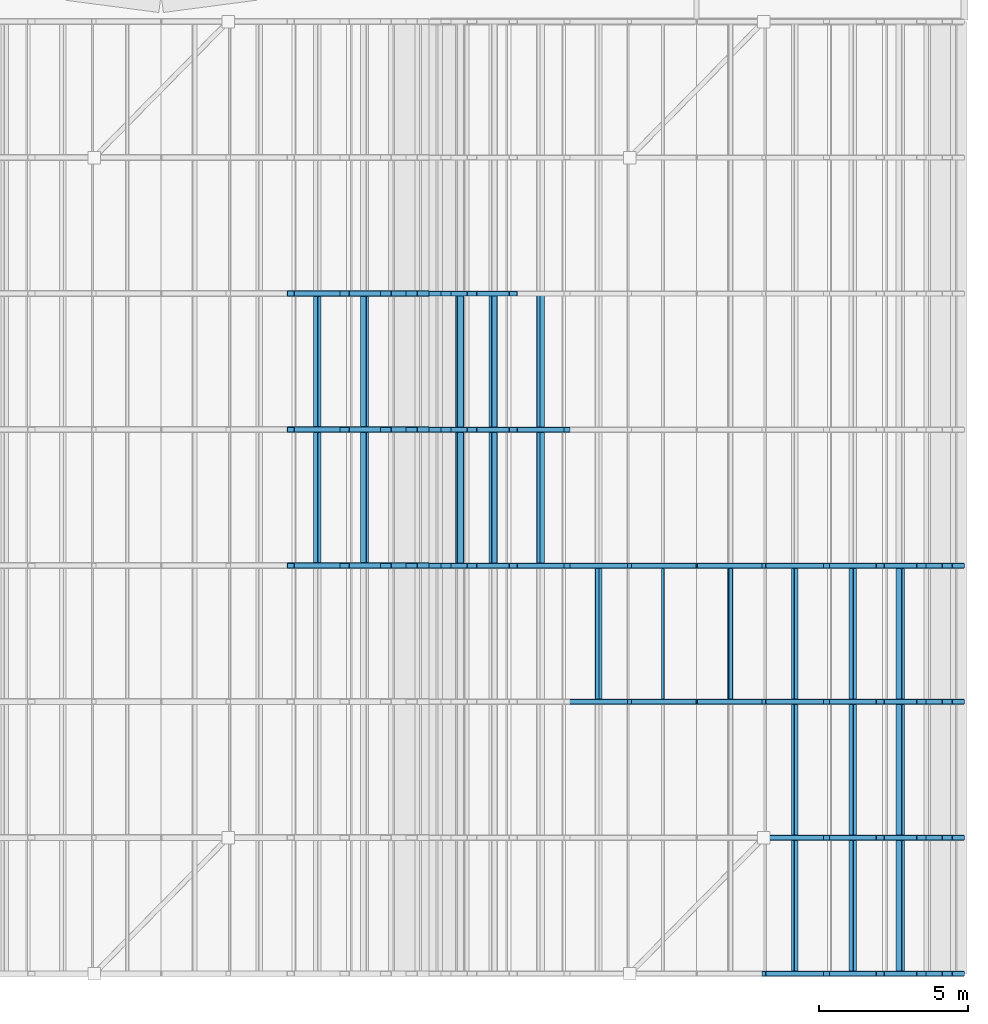
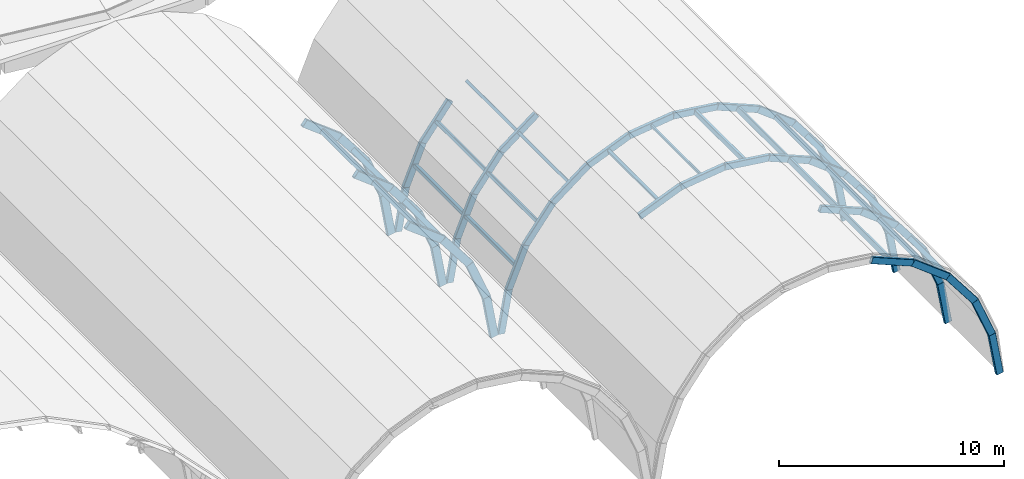
# One storey, part 5 of 25: 71 members.
"""IFC4 building model written with IfcOpenShell, lengths in metres."""

from ifc_helpers import new_model, si_unit, direction, frame, origin, origin_2d, place, context, subcontext, project, spatial, hollow_rectangle, extrude, material, material_profile, profile_set, type_object, element, save


model = new_model("IFC4")

# Units and contexts
model_context = context("Model", 3, precision=1e-05, world=origin(), true_north=direction((0.0, 1.0)))
body_context = subcontext(model_context, "Body", "Model", "MODEL_VIEW")
ifc_project = project(units=[si_unit("LENGTHUNIT", "METRE"), si_unit("AREAUNIT", "SQUARE_METRE"), si_unit("VOLUMEUNIT", "CUBIC_METRE"), si_unit("PLANEANGLEUNIT", "RADIAN"), si_unit("MASSUNIT", "GRAM", prefix="KILO")], contexts=[model_context])

# Site, building, storey
site_placement = place(None, origin())
site = spatial("IfcSite", under=ifc_project, at=site_placement, CompositionType="ELEMENT")
building_placement = place(site_placement, origin())
building = spatial("IfcBuilding", under=site, at=building_placement, Name="Marnock Terrace Opera House", CompositionType="ELEMENT")
storey_placement = place(building_placement, frame((0.0, 0.0, 28.199951171875)))
storey = spatial("IfcBuildingStorey", under=building, at=storey_placement, Name="RF", CompositionType="ELEMENT", Elevation=28.199951171875)

# Members
ifc_material = material(Name="Cold-formed Steel Grade C350L0 (AS/NZS 1163)", Category="steel")
ifc_material_profile_1 = material_profile(ifc_material, hollow_rectangle(XDim=0.10009765625, YDim=0.14990234375, WallThickness=0.006103515625, InnerFilletRadius=0.006103515625, OuterFilletRadius=0.011962890625, at=origin_2d()))
ifc_profile_set_1 = profile_set([ifc_material_profile_1], Name="Cold-formed Steel Grade C350L0 (AS/NZS 1163)")
member_type_1 = type_object("IfcMemberType", Name="MEM-ROOF-GIRT", PredefinedType="PURLIN", material=ifc_profile_set_1)
member_1_placement = place(storey_placement, frame((98.8681640625, 17.142822265625, -0.402099609375), z_axis=(0.0, 1.0, 0.0), x_axis=(-0.991444861374, 0.0, -0.13052619222)))
element("IfcMember", 1, at=member_1_placement, inside=storey, type_object=member_type_1, Name="Barrel vault 3 bay 3 longitudinal purlin", PredefinedType="PURLIN", context=body_context, shape_type="SweptSolid", body=[
    extrude(hollow_rectangle(XDim=0.10009765625, YDim=0.14990234375, WallThickness=0.006103515625, InnerFilletRadius=0.006103515625, OuterFilletRadius=0.011962890625, at=origin_2d()), origin(), (0.0, 0.0, 1.0), 4.571533203125),
])
ifc_material_profile_2 = material_profile(ifc_material, hollow_rectangle(XDim=0.199951171875, YDim=0.39990234375, WallThickness=0.012451171875, InnerFilletRadius=0.012451171875, OuterFilletRadius=0.02490234375, at=origin_2d()))
ifc_profile_set_2 = profile_set([ifc_material_profile_2], Name="Cold-formed Steel Grade C350L0 (AS/NZS 1163)")
member_type_2 = type_object("IfcMemberType", Name="MEM-VAULT-ARCH1", PredefinedType="CHORD", material=ifc_profile_set_2)
for number, where, z_axis, x_axis, name in (
    (2, (86.360107421875, 21.71435546875, -1.4482421875), (0.793349078761, 0.0, -0.608766982702), (0.0, 1.0, 0.0), "Barrel vault 2 station 4 arch chord 9"),
    (3, (88.166015625, 21.71435546875, -2.833984375), (0.608766982702, 0.0, -0.793349078761), (0.0, 1.0, 0.0), "Barrel vault 2 station 4 arch chord 10"),
):
    element("IfcMember", number, at=place(storey_placement, frame(where, z_axis=z_axis, x_axis=x_axis)), inside=storey, type_object=member_type_2, Name=name, PredefinedType="CHORD", context=body_context, shape_type="SweptSolid", body=[
        extrude(hollow_rectangle(XDim=0.199951171875, YDim=0.39990234375, WallThickness=0.012451171875, InnerFilletRadius=0.012451171875, OuterFilletRadius=0.02490234375, at=origin_2d()), origin(), (0.0, 0.0, 1.0), 2.2763671875),
    ])
member_2_placement = place(storey_placement, frame((89.5517578125, 21.71435546875, -4.639892578125), z_axis=(0.382642254796, 0.0, -0.923896587744), x_axis=(0.0, 1.0, 0.0)))
element("IfcMember", 4, at=member_2_placement, inside=storey, type_object=member_type_2, Name="Barrel vault 2 station 4 arch chord 11", PredefinedType="CHORD", context=body_context, shape_type="SweptSolid", body=[
    extrude(hollow_rectangle(XDim=0.199951171875, YDim=0.39990234375, WallThickness=0.012451171875, InnerFilletRadius=0.012451171875, OuterFilletRadius=0.02490234375, at=origin_2d()), origin(), (0.0, 0.0, 1.0), 2.276611328125),
])
member_3_placement = place(storey_placement, frame((90.4228515625, 21.71435546875, -6.7431640625), z_axis=(0.173341635248, 0.0, -0.984861755522), x_axis=(0.0, 1.0, 0.0)))
element("IfcMember", 5, at=member_3_placement, inside=storey, type_object=member_type_2, Name="Barrel vault 2 station 4 arch chord 12", PredefinedType="CHORD", context=body_context, shape_type="SweptSolid", body=[
    extrude(hollow_rectangle(XDim=0.199951171875, YDim=0.39990234375, WallThickness=0.012451171875, InnerFilletRadius=0.012451171875, OuterFilletRadius=0.02490234375, at=origin_2d()), origin(), (0.0, 0.0, 1.0), 2.29150390625),
])
for number, where, z_axis, x_axis, name in (
    (6, (86.360107421875, 26.28564453125, -1.4482421875), (0.793349078761, 0.0, -0.608766982702), (0.0, 1.0, 0.0), "Barrel vault 2 station 5 arch chord 9"),
    (7, (88.166015625, 26.28564453125, -2.833984375), (0.608766982702, 0.0, -0.793349078761), (0.0, 1.0, 0.0), "Barrel vault 2 station 5 arch chord 10"),
):
    element("IfcMember", number, at=place(storey_placement, frame(where, z_axis=z_axis, x_axis=x_axis)), inside=storey, type_object=member_type_2, Name=name, PredefinedType="CHORD", context=body_context, shape_type="SweptSolid", body=[
        extrude(hollow_rectangle(XDim=0.199951171875, YDim=0.39990234375, WallThickness=0.012451171875, InnerFilletRadius=0.012451171875, OuterFilletRadius=0.02490234375, at=origin_2d()), origin(), (0.0, 0.0, 1.0), 2.2763671875),
    ])
member_4_placement = place(storey_placement, frame((89.5517578125, 26.28564453125, -4.639892578125), z_axis=(0.382642254796, 0.0, -0.923896587744), x_axis=(0.0, 1.0, 0.0)))
element("IfcMember", 8, at=member_4_placement, inside=storey, type_object=member_type_2, Name="Barrel vault 2 station 5 arch chord 11", PredefinedType="CHORD", context=body_context, shape_type="SweptSolid", body=[
    extrude(hollow_rectangle(XDim=0.199951171875, YDim=0.39990234375, WallThickness=0.012451171875, InnerFilletRadius=0.012451171875, OuterFilletRadius=0.02490234375, at=origin_2d()), origin(), (0.0, 0.0, 1.0), 2.276611328125),
])
member_5_placement = place(storey_placement, frame((90.4228515625, 26.28564453125, -6.7431640625), z_axis=(0.173341635248, 0.0, -0.984861755522), x_axis=(0.0, 1.0, 0.0)))
element("IfcMember", 9, at=member_5_placement, inside=storey, type_object=member_type_2, Name="Barrel vault 2 station 5 arch chord 12", PredefinedType="CHORD", context=body_context, shape_type="SweptSolid", body=[
    extrude(hollow_rectangle(XDim=0.199951171875, YDim=0.39990234375, WallThickness=0.012451171875, InnerFilletRadius=0.012451171875, OuterFilletRadius=0.02490234375, at=origin_2d()), origin(), (0.0, 0.0, 1.0), 2.29150390625),
])
for number, where, z_axis, x_axis, name in (
    (10, (86.360107421875, 30.857177734375, -1.4482421875), (0.793349078761, 0.0, -0.608766982702), (0.0, 1.0, 0.0), "Barrel vault 2 station 6 arch chord 9"),
    (11, (88.166015625, 30.857177734375, -2.833984375), (0.608766982702, 0.0, -0.793349078761), (0.0, 1.0, 0.0), "Barrel vault 2 station 6 arch chord 10"),
):
    element("IfcMember", number, at=place(storey_placement, frame(where, z_axis=z_axis, x_axis=x_axis)), inside=storey, type_object=member_type_2, Name=name, PredefinedType="CHORD", context=body_context, shape_type="SweptSolid", body=[
        extrude(hollow_rectangle(XDim=0.199951171875, YDim=0.39990234375, WallThickness=0.012451171875, InnerFilletRadius=0.012451171875, OuterFilletRadius=0.02490234375, at=origin_2d()), origin(), (0.0, 0.0, 1.0), 2.2763671875),
    ])
member_6_placement = place(storey_placement, frame((89.5517578125, 30.857177734375, -4.639892578125), z_axis=(0.382642254796, 0.0, -0.923896587744), x_axis=(0.0, 1.0, 0.0)))
element("IfcMember", 12, at=member_6_placement, inside=storey, type_object=member_type_2, Name="Barrel vault 2 station 6 arch chord 11", PredefinedType="CHORD", context=body_context, shape_type="SweptSolid", body=[
    extrude(hollow_rectangle(XDim=0.199951171875, YDim=0.39990234375, WallThickness=0.012451171875, InnerFilletRadius=0.012451171875, OuterFilletRadius=0.02490234375, at=origin_2d()), origin(), (0.0, 0.0, 1.0), 2.276611328125),
])
member_7_placement = place(storey_placement, frame((90.4228515625, 30.857177734375, -6.7431640625), z_axis=(0.173341635248, 0.0, -0.984861755522), x_axis=(0.0, 1.0, 0.0)))
element("IfcMember", 13, at=member_7_placement, inside=storey, type_object=member_type_2, Name="Barrel vault 2 station 6 arch chord 12", PredefinedType="CHORD", context=body_context, shape_type="SweptSolid", body=[
    extrude(hollow_rectangle(XDim=0.199951171875, YDim=0.39990234375, WallThickness=0.012451171875, InnerFilletRadius=0.012451171875, OuterFilletRadius=0.02490234375, at=origin_2d()), origin(), (0.0, 0.0, 1.0), 2.29150390625),
])
ifc_material_profile_3 = material_profile(ifc_material, hollow_rectangle(XDim=0.175048828125, YDim=0.35009765625, WallThickness=0.010009765625, InnerFilletRadius=0.010009765625, OuterFilletRadius=0.02001953125, at=origin_2d()))
ifc_profile_set_3 = profile_set([ifc_material_profile_3], Name="Cold-formed Steel Grade C350L0 (AS/NZS 1163)")
member_type_3 = type_object("IfcMemberType", Name="MEM-VAULT-ARCH2", PredefinedType="CHORD", material=ifc_profile_set_3)
member_8_placement = place(storey_placement, frame((102.2568359375, 8.0, -0.5771484375), z_axis=(0.923896587744, 0.0, -0.382642254796), x_axis=(0.0, 1.0, 0.0)))
element("IfcMember", 14, at=member_8_placement, inside=storey, type_object=member_type_3, Name="Barrel vault 3 station 1 arch chord 8", PredefinedType="CHORD", context=body_context, shape_type="SweptSolid", body=[
    extrude(hollow_rectangle(XDim=0.175048828125, YDim=0.35009765625, WallThickness=0.010009765625, InnerFilletRadius=0.010009765625, OuterFilletRadius=0.02001953125, at=origin_2d()), origin(), (0.0, 0.0, 1.0), 2.276611328125),
])
for number, where, z_axis, x_axis, name in (
    (15, (104.360107421875, 8.0, -1.4482421875), (0.793349078761, 0.0, -0.608766982702), (0.0, 1.0, 0.0), "Barrel vault 3 station 1 arch chord 9"),
    (16, (106.166015625, 8.0, -2.833984375), (0.608766982702, 0.0, -0.793349078761), (0.0, 1.0, 0.0), "Barrel vault 3 station 1 arch chord 10"),
):
    element("IfcMember", number, at=place(storey_placement, frame(where, z_axis=z_axis, x_axis=x_axis)), inside=storey, type_object=member_type_3, Name=name, PredefinedType="CHORD", context=body_context, shape_type="SweptSolid", body=[
        extrude(hollow_rectangle(XDim=0.175048828125, YDim=0.35009765625, WallThickness=0.010009765625, InnerFilletRadius=0.010009765625, OuterFilletRadius=0.02001953125, at=origin_2d()), origin(), (0.0, 0.0, 1.0), 2.2763671875),
    ])
member_9_placement = place(storey_placement, frame((107.5517578125, 8.0, -4.639892578125), z_axis=(0.382642254796, 0.0, -0.923896587744), x_axis=(0.0, 1.0, 0.0)))
element("IfcMember", 17, at=member_9_placement, inside=storey, type_object=member_type_3, Name="Barrel vault 3 station 1 arch chord 11", PredefinedType="CHORD", context=body_context, shape_type="SweptSolid", body=[
    extrude(hollow_rectangle(XDim=0.175048828125, YDim=0.35009765625, WallThickness=0.010009765625, InnerFilletRadius=0.010009765625, OuterFilletRadius=0.02001953125, at=origin_2d()), origin(), (0.0, 0.0, 1.0), 2.276611328125),
])
member_10_placement = place(storey_placement, frame((108.4228515625, 8.0, -6.7431640625), z_axis=(0.173341635248, 0.0, -0.984861755522), x_axis=(0.0, 1.0, 0.0)))
element("IfcMember", 18, at=member_10_placement, inside=storey, type_object=member_type_3, Name="Barrel vault 3 station 1 arch chord 12", PredefinedType="CHORD", context=body_context, shape_type="SweptSolid", body=[
    extrude(hollow_rectangle(XDim=0.175048828125, YDim=0.35009765625, WallThickness=0.010009765625, InnerFilletRadius=0.010009765625, OuterFilletRadius=0.02001953125, at=origin_2d()), origin(), (0.0, 0.0, 1.0), 2.29150390625),
])
member_11_placement = place(storey_placement, frame((102.2568359375, 12.571533203125, -0.5771484375), z_axis=(0.923896587744, 0.0, -0.382642254796), x_axis=(0.0, 1.0, 0.0)))
element("IfcMember", 19, at=member_11_placement, inside=storey, type_object=member_type_3, Name="Barrel vault 3 station 2 arch chord 8", PredefinedType="CHORD", context=body_context, shape_type="SweptSolid", body=[
    extrude(hollow_rectangle(XDim=0.175048828125, YDim=0.35009765625, WallThickness=0.010009765625, InnerFilletRadius=0.010009765625, OuterFilletRadius=0.02001953125, at=origin_2d()), origin(), (0.0, 0.0, 1.0), 2.276611328125),
])
for number, where, z_axis, x_axis, name in (
    (20, (104.360107421875, 12.571533203125, -1.4482421875), (0.793349078761, 0.0, -0.608766982702), (0.0, 1.0, 0.0), "Barrel vault 3 station 2 arch chord 9"),
    (21, (106.166015625, 12.571533203125, -2.833984375), (0.608766982702, 0.0, -0.793349078761), (0.0, 1.0, 0.0), "Barrel vault 3 station 2 arch chord 10"),
):
    element("IfcMember", number, at=place(storey_placement, frame(where, z_axis=z_axis, x_axis=x_axis)), inside=storey, type_object=member_type_3, Name=name, PredefinedType="CHORD", context=body_context, shape_type="SweptSolid", body=[
        extrude(hollow_rectangle(XDim=0.175048828125, YDim=0.35009765625, WallThickness=0.010009765625, InnerFilletRadius=0.010009765625, OuterFilletRadius=0.02001953125, at=origin_2d()), origin(), (0.0, 0.0, 1.0), 2.2763671875),
    ])
member_12_placement = place(storey_placement, frame((107.5517578125, 12.571533203125, -4.639892578125), z_axis=(0.382642254796, 0.0, -0.923896587744), x_axis=(0.0, 1.0, 0.0)))
element("IfcMember", 22, at=member_12_placement, inside=storey, type_object=member_type_3, Name="Barrel vault 3 station 2 arch chord 11", PredefinedType="CHORD", context=body_context, shape_type="SweptSolid", body=[
    extrude(hollow_rectangle(XDim=0.175048828125, YDim=0.35009765625, WallThickness=0.010009765625, InnerFilletRadius=0.010009765625, OuterFilletRadius=0.02001953125, at=origin_2d()), origin(), (0.0, 0.0, 1.0), 2.276611328125),
])
member_13_placement = place(storey_placement, frame((108.4228515625, 12.571533203125, -6.7431640625), z_axis=(0.173341635248, 0.0, -0.984861755522), x_axis=(0.0, 1.0, 0.0)))
element("IfcMember", 23, at=member_13_placement, inside=storey, type_object=member_type_3, Name="Barrel vault 3 station 2 arch chord 12", PredefinedType="CHORD", context=body_context, shape_type="SweptSolid", body=[
    extrude(hollow_rectangle(XDim=0.175048828125, YDim=0.35009765625, WallThickness=0.010009765625, InnerFilletRadius=0.010009765625, OuterFilletRadius=0.02001953125, at=origin_2d()), origin(), (0.0, 0.0, 1.0), 2.29150390625),
])
member_14_placement = place(storey_placement, frame((95.639892578125, 17.142822265625, -1.4482421875), z_axis=(0.923896587744, 0.0, 0.382642254796), x_axis=(0.0, 1.0, 0.0)))
element("IfcMember", 24, at=member_14_placement, inside=storey, type_object=member_type_3, Name="Barrel vault 3 station 3 arch chord 5", PredefinedType="CHORD", context=body_context, shape_type="SweptSolid", body=[
    extrude(hollow_rectangle(XDim=0.175048828125, YDim=0.35009765625, WallThickness=0.010009765625, InnerFilletRadius=0.010009765625, OuterFilletRadius=0.02001953125, at=origin_2d()), origin(), (0.0, 0.0, 1.0), 2.276611328125),
])
for number, where, z_axis, x_axis, name in (
    (25, (97.7431640625, 17.142822265625, -0.5771484375), (0.991444801521, 0.0, 0.130526646847), (0.0, 1.0, 0.0), "Barrel vault 3 station 3 arch chord 6"),
    (26, (100.0, 17.142822265625, -0.280029296875), (0.991444801521, 0.0, -0.130526646847), (0.0, 1.0, 0.0), "Barrel vault 3 station 3 arch chord 7"),
):
    element("IfcMember", number, at=place(storey_placement, frame(where, z_axis=z_axis, x_axis=x_axis)), inside=storey, type_object=member_type_3, Name=name, PredefinedType="CHORD", context=body_context, shape_type="SweptSolid", body=[
        extrude(hollow_rectangle(XDim=0.175048828125, YDim=0.35009765625, WallThickness=0.010009765625, InnerFilletRadius=0.010009765625, OuterFilletRadius=0.02001953125, at=origin_2d()), origin(), (0.0, 0.0, 1.0), 2.2763671875),
    ])
member_15_placement = place(storey_placement, frame((102.2568359375, 17.142822265625, -0.5771484375), z_axis=(0.923896587744, 0.0, -0.382642254796), x_axis=(0.0, 1.0, 0.0)))
element("IfcMember", 27, at=member_15_placement, inside=storey, type_object=member_type_3, Name="Barrel vault 3 station 3 arch chord 8", PredefinedType="CHORD", context=body_context, shape_type="SweptSolid", body=[
    extrude(hollow_rectangle(XDim=0.175048828125, YDim=0.35009765625, WallThickness=0.010009765625, InnerFilletRadius=0.010009765625, OuterFilletRadius=0.02001953125, at=origin_2d()), origin(), (0.0, 0.0, 1.0), 2.276611328125),
])
for number, where, z_axis, x_axis, name in (
    (28, (104.360107421875, 17.142822265625, -1.4482421875), (0.793349078761, 0.0, -0.608766982702), (0.0, 1.0, 0.0), "Barrel vault 3 station 3 arch chord 9"),
    (29, (106.166015625, 17.142822265625, -2.833984375), (0.608766982702, 0.0, -0.793349078761), (0.0, 1.0, 0.0), "Barrel vault 3 station 3 arch chord 10"),
):
    element("IfcMember", number, at=place(storey_placement, frame(where, z_axis=z_axis, x_axis=x_axis)), inside=storey, type_object=member_type_3, Name=name, PredefinedType="CHORD", context=body_context, shape_type="SweptSolid", body=[
        extrude(hollow_rectangle(XDim=0.175048828125, YDim=0.35009765625, WallThickness=0.010009765625, InnerFilletRadius=0.010009765625, OuterFilletRadius=0.02001953125, at=origin_2d()), origin(), (0.0, 0.0, 1.0), 2.2763671875),
    ])
member_16_placement = place(storey_placement, frame((107.5517578125, 17.142822265625, -4.639892578125), z_axis=(0.382642254796, 0.0, -0.923896587744), x_axis=(0.0, 1.0, 0.0)))
element("IfcMember", 30, at=member_16_placement, inside=storey, type_object=member_type_3, Name="Barrel vault 3 station 3 arch chord 11", PredefinedType="CHORD", context=body_context, shape_type="SweptSolid", body=[
    extrude(hollow_rectangle(XDim=0.175048828125, YDim=0.35009765625, WallThickness=0.010009765625, InnerFilletRadius=0.010009765625, OuterFilletRadius=0.02001953125, at=origin_2d()), origin(), (0.0, 0.0, 1.0), 2.276611328125),
])
for number, where, z_axis, x_axis, name in (
    (31, (108.4228515625, 17.142822265625, -6.7431640625), (0.173341635248, 0.0, -0.984861755522), (0.0, 1.0, 0.0), "Barrel vault 3 station 3 arch chord 12"),
    (32, (91.179931640625, 21.71435546875, -9.0), (0.173341635248, 0.0, 0.984861755522), (0.0, 1.0, 0.0), "Barrel vault 3 station 4 arch chord 1"),
):
    element("IfcMember", number, at=place(storey_placement, frame(where, z_axis=z_axis, x_axis=x_axis)), inside=storey, type_object=member_type_3, Name=name, PredefinedType="CHORD", context=body_context, shape_type="SweptSolid", body=[
        extrude(hollow_rectangle(XDim=0.175048828125, YDim=0.35009765625, WallThickness=0.010009765625, InnerFilletRadius=0.010009765625, OuterFilletRadius=0.02001953125, at=origin_2d()), origin(), (0.0, 0.0, 1.0), 2.29150390625),
    ])
member_17_placement = place(storey_placement, frame((91.5771484375, 21.71435546875, -6.7431640625), z_axis=(0.382642254796, 0.0, 0.923896587744), x_axis=(0.0, 1.0, 0.0)))
element("IfcMember", 33, at=member_17_placement, inside=storey, type_object=member_type_3, Name="Barrel vault 3 station 4 arch chord 2", PredefinedType="CHORD", context=body_context, shape_type="SweptSolid", body=[
    extrude(hollow_rectangle(XDim=0.175048828125, YDim=0.35009765625, WallThickness=0.010009765625, InnerFilletRadius=0.010009765625, OuterFilletRadius=0.02001953125, at=origin_2d()), origin(), (0.0, 0.0, 1.0), 2.276611328125),
])
for number, where, z_axis, x_axis, name in (
    (34, (92.4482421875, 21.71435546875, -4.639892578125), (0.608766982702, 0.0, 0.793349078761), (0.0, 1.0, 0.0), "Barrel vault 3 station 4 arch chord 3"),
    (35, (93.833984375, 21.71435546875, -2.833984375), (0.793349078761, 0.0, 0.608766982702), (0.0, 1.0, 0.0), "Barrel vault 3 station 4 arch chord 4"),
):
    element("IfcMember", number, at=place(storey_placement, frame(where, z_axis=z_axis, x_axis=x_axis)), inside=storey, type_object=member_type_3, Name=name, PredefinedType="CHORD", context=body_context, shape_type="SweptSolid", body=[
        extrude(hollow_rectangle(XDim=0.175048828125, YDim=0.35009765625, WallThickness=0.010009765625, InnerFilletRadius=0.010009765625, OuterFilletRadius=0.02001953125, at=origin_2d()), origin(), (0.0, 0.0, 1.0), 2.2763671875),
    ])
member_18_placement = place(storey_placement, frame((95.639892578125, 21.71435546875, -1.4482421875), z_axis=(0.923896587744, 0.0, 0.382642254796), x_axis=(0.0, 1.0, 0.0)))
element("IfcMember", 36, at=member_18_placement, inside=storey, type_object=member_type_3, Name="Barrel vault 3 station 4 arch chord 5", PredefinedType="CHORD", context=body_context, shape_type="SweptSolid", body=[
    extrude(hollow_rectangle(XDim=0.175048828125, YDim=0.35009765625, WallThickness=0.010009765625, InnerFilletRadius=0.010009765625, OuterFilletRadius=0.02001953125, at=origin_2d()), origin(), (0.0, 0.0, 1.0), 2.276611328125),
])
for number, where, z_axis, x_axis, name in (
    (37, (97.7431640625, 21.71435546875, -0.5771484375), (0.991444801521, 0.0, 0.130526646847), (0.0, 1.0, 0.0), "Barrel vault 3 station 4 arch chord 6"),
    (38, (100.0, 21.71435546875, -0.280029296875), (0.991444801521, 0.0, -0.130526646847), (0.0, 1.0, 0.0), "Barrel vault 3 station 4 arch chord 7"),
):
    element("IfcMember", number, at=place(storey_placement, frame(where, z_axis=z_axis, x_axis=x_axis)), inside=storey, type_object=member_type_3, Name=name, PredefinedType="CHORD", context=body_context, shape_type="SweptSolid", body=[
        extrude(hollow_rectangle(XDim=0.175048828125, YDim=0.35009765625, WallThickness=0.010009765625, InnerFilletRadius=0.010009765625, OuterFilletRadius=0.02001953125, at=origin_2d()), origin(), (0.0, 0.0, 1.0), 2.2763671875),
    ])
member_19_placement = place(storey_placement, frame((102.2568359375, 21.71435546875, -0.5771484375), z_axis=(0.923896587744, 0.0, -0.382642254796), x_axis=(0.0, 1.0, 0.0)))
element("IfcMember", 39, at=member_19_placement, inside=storey, type_object=member_type_3, Name="Barrel vault 3 station 4 arch chord 8", PredefinedType="CHORD", context=body_context, shape_type="SweptSolid", body=[
    extrude(hollow_rectangle(XDim=0.175048828125, YDim=0.35009765625, WallThickness=0.010009765625, InnerFilletRadius=0.010009765625, OuterFilletRadius=0.02001953125, at=origin_2d()), origin(), (0.0, 0.0, 1.0), 2.276611328125),
])
for number, where, z_axis, x_axis, name in (
    (40, (104.360107421875, 21.71435546875, -1.4482421875), (0.793349078761, 0.0, -0.608766982702), (0.0, 1.0, 0.0), "Barrel vault 3 station 4 arch chord 9"),
    (41, (106.166015625, 21.71435546875, -2.833984375), (0.608766982702, 0.0, -0.793349078761), (0.0, 1.0, 0.0), "Barrel vault 3 station 4 arch chord 10"),
):
    element("IfcMember", number, at=place(storey_placement, frame(where, z_axis=z_axis, x_axis=x_axis)), inside=storey, type_object=member_type_3, Name=name, PredefinedType="CHORD", context=body_context, shape_type="SweptSolid", body=[
        extrude(hollow_rectangle(XDim=0.175048828125, YDim=0.35009765625, WallThickness=0.010009765625, InnerFilletRadius=0.010009765625, OuterFilletRadius=0.02001953125, at=origin_2d()), origin(), (0.0, 0.0, 1.0), 2.2763671875),
    ])
member_20_placement = place(storey_placement, frame((107.5517578125, 21.71435546875, -4.639892578125), z_axis=(0.382642254796, 0.0, -0.923896587744), x_axis=(0.0, 1.0, 0.0)))
element("IfcMember", 42, at=member_20_placement, inside=storey, type_object=member_type_3, Name="Barrel vault 3 station 4 arch chord 11", PredefinedType="CHORD", context=body_context, shape_type="SweptSolid", body=[
    extrude(hollow_rectangle(XDim=0.175048828125, YDim=0.35009765625, WallThickness=0.010009765625, InnerFilletRadius=0.010009765625, OuterFilletRadius=0.02001953125, at=origin_2d()), origin(), (0.0, 0.0, 1.0), 2.276611328125),
])
for number, where, z_axis, x_axis, name in (
    (43, (108.4228515625, 21.71435546875, -6.7431640625), (0.173341635248, 0.0, -0.984861755522), (0.0, 1.0, 0.0), "Barrel vault 3 station 4 arch chord 12"),
    (44, (91.179931640625, 26.28564453125, -9.0), (0.173341635248, 0.0, 0.984861755522), (0.0, 1.0, 0.0), "Barrel vault 3 station 5 arch chord 1"),
):
    element("IfcMember", number, at=place(storey_placement, frame(where, z_axis=z_axis, x_axis=x_axis)), inside=storey, type_object=member_type_3, Name=name, PredefinedType="CHORD", context=body_context, shape_type="SweptSolid", body=[
        extrude(hollow_rectangle(XDim=0.175048828125, YDim=0.35009765625, WallThickness=0.010009765625, InnerFilletRadius=0.010009765625, OuterFilletRadius=0.02001953125, at=origin_2d()), origin(), (0.0, 0.0, 1.0), 2.29150390625),
    ])
member_21_placement = place(storey_placement, frame((91.5771484375, 26.28564453125, -6.7431640625), z_axis=(0.382642254796, 0.0, 0.923896587744), x_axis=(0.0, 1.0, 0.0)))
element("IfcMember", 45, at=member_21_placement, inside=storey, type_object=member_type_3, Name="Barrel vault 3 station 5 arch chord 2", PredefinedType="CHORD", context=body_context, shape_type="SweptSolid", body=[
    extrude(hollow_rectangle(XDim=0.175048828125, YDim=0.35009765625, WallThickness=0.010009765625, InnerFilletRadius=0.010009765625, OuterFilletRadius=0.02001953125, at=origin_2d()), origin(), (0.0, 0.0, 1.0), 2.276611328125),
])
for number, where, z_axis, x_axis, name in (
    (46, (92.4482421875, 26.28564453125, -4.639892578125), (0.608766982702, 0.0, 0.793349078761), (0.0, 1.0, 0.0), "Barrel vault 3 station 5 arch chord 3"),
    (47, (93.833984375, 26.28564453125, -2.833984375), (0.793349078761, 0.0, 0.608766982702), (0.0, 1.0, 0.0), "Barrel vault 3 station 5 arch chord 4"),
):
    element("IfcMember", number, at=place(storey_placement, frame(where, z_axis=z_axis, x_axis=x_axis)), inside=storey, type_object=member_type_3, Name=name, PredefinedType="CHORD", context=body_context, shape_type="SweptSolid", body=[
        extrude(hollow_rectangle(XDim=0.175048828125, YDim=0.35009765625, WallThickness=0.010009765625, InnerFilletRadius=0.010009765625, OuterFilletRadius=0.02001953125, at=origin_2d()), origin(), (0.0, 0.0, 1.0), 2.2763671875),
    ])
member_22_placement = place(storey_placement, frame((91.179931640625, 30.857177734375, -9.0), z_axis=(0.173341635248, 0.0, 0.984861755522), x_axis=(0.0, 1.0, 0.0)))
element("IfcMember", 48, at=member_22_placement, inside=storey, type_object=member_type_3, Name="Barrel vault 3 station 6 arch chord 1", PredefinedType="CHORD", context=body_context, shape_type="SweptSolid", body=[
    extrude(hollow_rectangle(XDim=0.175048828125, YDim=0.35009765625, WallThickness=0.010009765625, InnerFilletRadius=0.010009765625, OuterFilletRadius=0.02001953125, at=origin_2d()), origin(), (0.0, 0.0, 1.0), 2.29150390625),
])
member_23_placement = place(storey_placement, frame((91.5771484375, 30.857177734375, -6.7431640625), z_axis=(0.382642254796, 0.0, 0.923896587744), x_axis=(0.0, 1.0, 0.0)))
element("IfcMember", 49, at=member_23_placement, inside=storey, type_object=member_type_3, Name="Barrel vault 3 station 6 arch chord 2", PredefinedType="CHORD", context=body_context, shape_type="SweptSolid", body=[
    extrude(hollow_rectangle(XDim=0.175048828125, YDim=0.35009765625, WallThickness=0.010009765625, InnerFilletRadius=0.010009765625, OuterFilletRadius=0.02001953125, at=origin_2d()), origin(), (0.0, 0.0, 1.0), 2.276611328125),
])
member_24_placement = place(storey_placement, frame((92.4482421875, 30.857177734375, -4.639892578125), z_axis=(0.608766982702, 0.0, 0.793349078761), x_axis=(0.0, 1.0, 0.0)))
element("IfcMember", 50, at=member_24_placement, inside=storey, type_object=member_type_3, Name="Barrel vault 3 station 6 arch chord 3", PredefinedType="CHORD", context=body_context, shape_type="SweptSolid", body=[
    extrude(hollow_rectangle(XDim=0.175048828125, YDim=0.35009765625, WallThickness=0.010009765625, InnerFilletRadius=0.010009765625, OuterFilletRadius=0.02001953125, at=origin_2d()), origin(), (0.0, 0.0, 1.0), 2.2763671875),
])
ifc_material_profile_4 = material_profile(ifc_material, hollow_rectangle(XDim=0.14990234375, YDim=0.25, WallThickness=0.009033203125, InnerFilletRadius=0.009033203125, OuterFilletRadius=0.01806640625, at=origin_2d()))
ifc_profile_set_4 = profile_set([ifc_material_profile_4], Name="Cold-formed Steel Grade C350L0 (AS/NZS 1163)")
member_type_4 = type_object("IfcMemberType", Name="MEM-VAULT-PURL", PredefinedType="PURLIN", material=ifc_profile_set_4)
for number, where, z_axis, x_axis, name in (
    (51, (87.248779296875, 21.71435546875, -2.15966796875), (0.0, 1.0, 0.0), (-0.793353340291, 0.0, 0.608761429009), "Barrel vault 2 bay 4 longitudinal purlin"),
    (52, (88.84033203125, 21.71435546875, -3.751220703125), (0.0, 1.0, 0.0), (-0.608761429009, 0.0, 0.793353340291), "Barrel vault 2 bay 4 longitudinal purlin"),
):
    element("IfcMember", number, at=place(storey_placement, frame(where, z_axis=z_axis, x_axis=x_axis)), inside=storey, type_object=member_type_4, Name=name, PredefinedType="PURLIN", context=body_context, shape_type="SweptSolid", body=[
        extrude(hollow_rectangle(XDim=0.14990234375, YDim=0.25, WallThickness=0.009033203125, InnerFilletRadius=0.009033203125, OuterFilletRadius=0.01806640625, at=origin_2d()), origin(), (0.0, 0.0, 1.0), 4.5712890625),
    ])
for number, where, z_axis, x_axis, name in (
    (53, (87.248779296875, 26.28564453125, -2.15966796875), (0.0, 1.0, 0.0), (-0.793353340291, 0.0, 0.608761429009), "Barrel vault 2 bay 5 longitudinal purlin"),
    (54, (88.84033203125, 26.28564453125, -3.751220703125), (0.0, 1.0, 0.0), (-0.608761429009, 0.0, 0.793353340291), "Barrel vault 2 bay 5 longitudinal purlin"),
    (55, (103.299560546875, 8.0, -1.0341796875), (0.0, 1.0, 0.0), (-0.923879532511, 0.0, 0.382683432365), "Barrel vault 3 bay 1 longitudinal purlin"),
    (56, (105.248779296875, 8.0, -2.15966796875), (0.0, 1.0, 0.0), (-0.793353340291, 0.0, 0.608761429009), "Barrel vault 3 bay 1 longitudinal purlin"),
    (57, (106.84033203125, 8.0, -3.751220703125), (0.0, 1.0, 0.0), (-0.608761429009, 0.0, 0.793353340291), "Barrel vault 3 bay 1 longitudinal purlin"),
):
    element("IfcMember", number, at=place(storey_placement, frame(where, z_axis=z_axis, x_axis=x_axis)), inside=storey, type_object=member_type_4, Name=name, PredefinedType="PURLIN", context=body_context, shape_type="SweptSolid", body=[
        extrude(hollow_rectangle(XDim=0.14990234375, YDim=0.25, WallThickness=0.009033203125, InnerFilletRadius=0.009033203125, OuterFilletRadius=0.01806640625, at=origin_2d()), origin(), (0.0, 0.0, 1.0), 4.571533203125),
    ])
for number, where, z_axis, x_axis, name in (
    (58, (103.299560546875, 12.571533203125, -1.0341796875), (0.0, 1.0, 0.0), (-0.923879532511, 0.0, 0.382683432365), "Barrel vault 3 bay 2 longitudinal purlin"),
    (59, (105.248779296875, 12.571533203125, -2.15966796875), (0.0, 1.0, 0.0), (-0.793353340291, 0.0, 0.608761429009), "Barrel vault 3 bay 2 longitudinal purlin"),
    (60, (106.84033203125, 12.571533203125, -3.751220703125), (0.0, 1.0, 0.0), (-0.608761429009, 0.0, 0.793353340291), "Barrel vault 3 bay 2 longitudinal purlin"),
):
    element("IfcMember", number, at=place(storey_placement, frame(where, z_axis=z_axis, x_axis=x_axis)), inside=storey, type_object=member_type_4, Name=name, PredefinedType="PURLIN", context=body_context, shape_type="SweptSolid", body=[
        extrude(hollow_rectangle(XDim=0.14990234375, YDim=0.25, WallThickness=0.009033203125, InnerFilletRadius=0.009033203125, OuterFilletRadius=0.01806640625, at=origin_2d()), origin(), (0.0, 0.0, 1.0), 4.5712890625),
    ])
for number, where, z_axis, x_axis, name in (
    (61, (96.700439453125, 17.142822265625, -1.0341796875), (0.0, 1.0, 0.0), (-0.923879532511, 0.0, -0.382683432365), "Barrel vault 3 bay 3 longitudinal purlin"),
    (62, (101.12548828125, 17.142822265625, -0.45166015625), (0.0, 1.0, 0.0), (-0.991444861374, 0.0, 0.13052619222), "Barrel vault 3 bay 3 longitudinal purlin"),
    (63, (103.299560546875, 17.142822265625, -1.0341796875), (0.0, 1.0, 0.0), (-0.923879532511, 0.0, 0.382683432365), "Barrel vault 3 bay 3 longitudinal purlin"),
    (64, (105.248779296875, 17.142822265625, -2.15966796875), (0.0, 1.0, 0.0), (-0.793353340291, 0.0, 0.608761429009), "Barrel vault 3 bay 3 longitudinal purlin"),
    (65, (106.84033203125, 17.142822265625, -3.751220703125), (0.0, 1.0, 0.0), (-0.608761429009, 0.0, 0.793353340291), "Barrel vault 3 bay 3 longitudinal purlin"),
):
    element("IfcMember", number, at=place(storey_placement, frame(where, z_axis=z_axis, x_axis=x_axis)), inside=storey, type_object=member_type_4, Name=name, PredefinedType="PURLIN", context=body_context, shape_type="SweptSolid", body=[
        extrude(hollow_rectangle(XDim=0.14990234375, YDim=0.25, WallThickness=0.009033203125, InnerFilletRadius=0.009033203125, OuterFilletRadius=0.01806640625, at=origin_2d()), origin(), (0.0, 0.0, 1.0), 4.571533203125),
    ])
for number, where, z_axis, x_axis, name in (
    (66, (92.034423828125, 21.71435546875, -5.700439453125), (0.0, 1.0, 0.0), (-0.382683432365, 0.0, -0.923879532511), "Barrel vault 3 bay 4 longitudinal purlin"),
    (67, (93.15966796875, 21.71435546875, -3.751220703125), (0.0, 1.0, 0.0), (-0.608761429009, 0.0, -0.793353340291), "Barrel vault 3 bay 4 longitudinal purlin"),
    (68, (94.751220703125, 21.71435546875, -2.15966796875), (0.0, 1.0, 0.0), (-0.793353340291, 0.0, -0.608761429009), "Barrel vault 3 bay 4 longitudinal purlin"),
):
    element("IfcMember", number, at=place(storey_placement, frame(where, z_axis=z_axis, x_axis=x_axis)), inside=storey, type_object=member_type_4, Name=name, PredefinedType="PURLIN", context=body_context, shape_type="SweptSolid", body=[
        extrude(hollow_rectangle(XDim=0.14990234375, YDim=0.25, WallThickness=0.009033203125, InnerFilletRadius=0.009033203125, OuterFilletRadius=0.01806640625, at=origin_2d()), origin(), (0.0, 0.0, 1.0), 4.5712890625),
    ])
for number, where, z_axis, x_axis, name in (
    (69, (92.034423828125, 26.28564453125, -5.700439453125), (0.0, 1.0, 0.0), (-0.382683432365, 0.0, -0.923879532511), "Barrel vault 3 bay 5 longitudinal purlin"),
    (70, (93.15966796875, 26.28564453125, -3.751220703125), (0.0, 1.0, 0.0), (-0.608761429009, 0.0, -0.793353340291), "Barrel vault 3 bay 5 longitudinal purlin"),
    (71, (94.751220703125, 26.28564453125, -2.15966796875), (0.0, 1.0, 0.0), (-0.793353340291, 0.0, -0.608761429009), "Barrel vault 3 bay 5 longitudinal purlin"),
):
    element("IfcMember", number, at=place(storey_placement, frame(where, z_axis=z_axis, x_axis=x_axis)), inside=storey, type_object=member_type_4, Name=name, PredefinedType="PURLIN", context=body_context, shape_type="SweptSolid", body=[
        extrude(hollow_rectangle(XDim=0.14990234375, YDim=0.25, WallThickness=0.009033203125, InnerFilletRadius=0.009033203125, OuterFilletRadius=0.01806640625, at=origin_2d()), origin(), (0.0, 0.0, 1.0), 4.571533203125),
    ])

save(model, "model.ifc")
